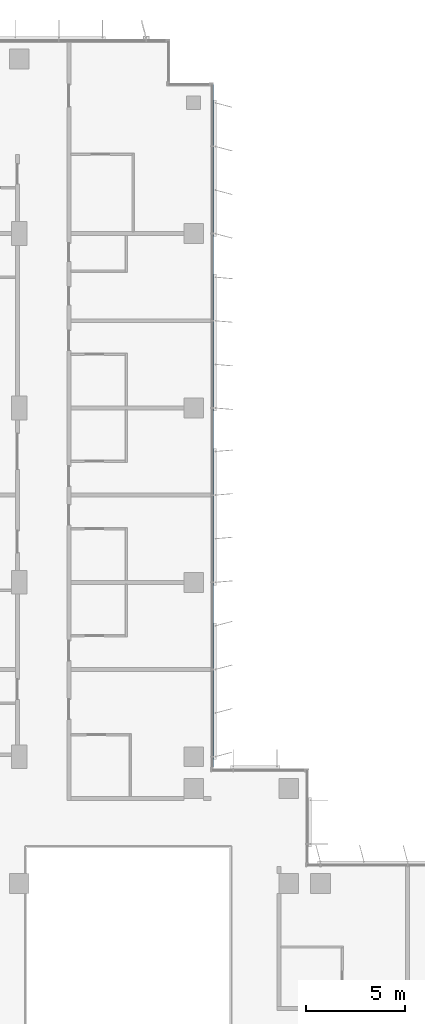
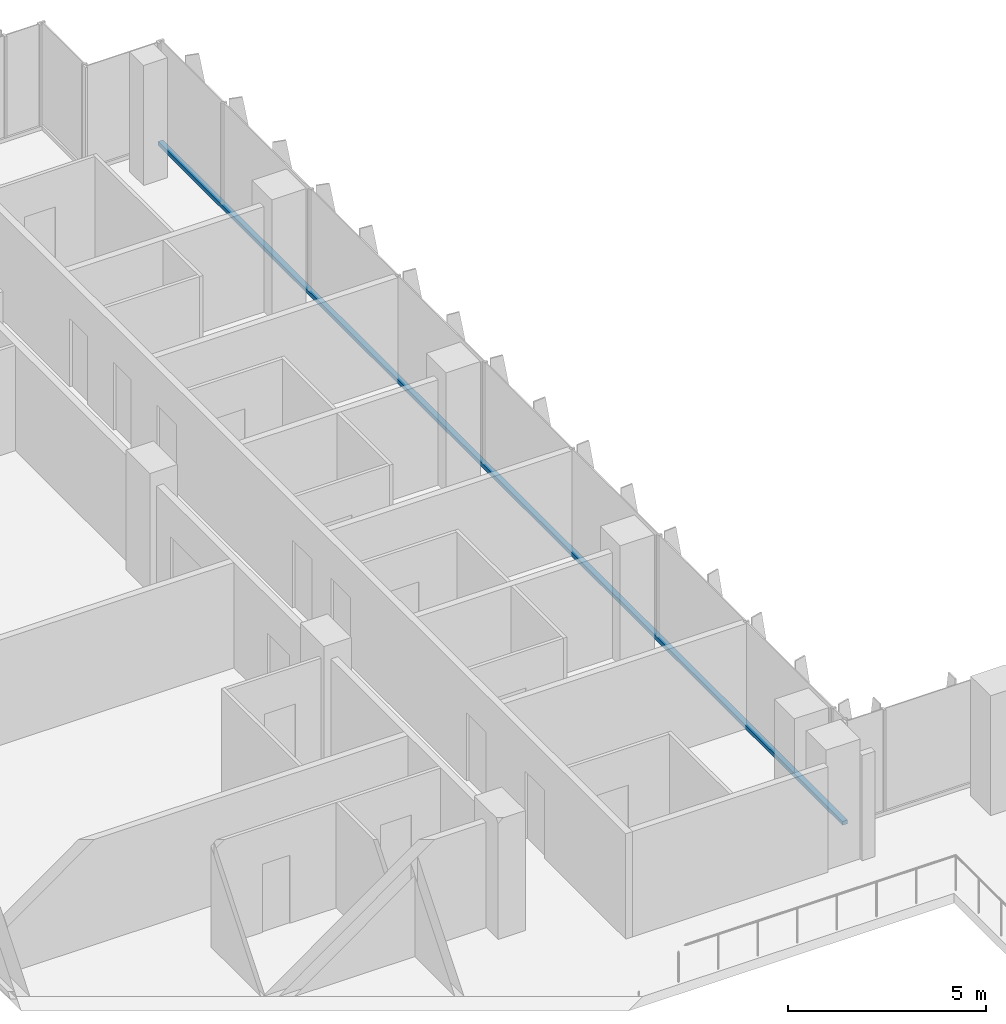
# One storey, part 6 of 21: 1 member, 1 element without a shape of its own.
"""IFC4 building model written with IfcOpenShell, lengths in metres."""

from ifc_helpers import new_model, si_unit, direction, frame, origin, origin_2d, place, context, subcontext, project, spatial, rectangle, extrude, material, material_profile, profile_set, type_object, element, aggregate, save


model = new_model("IFC4")

# Units and contexts
model_context = context("Model", 3, precision=1e-05, world=origin(), true_north=direction((0.0, 1.0)))
body_context = subcontext(model_context, "Body", "Model", "MODEL_VIEW")
ifc_project = project(units=[si_unit("LENGTHUNIT", "METRE"), si_unit("AREAUNIT", "SQUARE_METRE"), si_unit("VOLUMEUNIT", "CUBIC_METRE"), si_unit("PLANEANGLEUNIT", "RADIAN"), si_unit("MASSUNIT", "GRAM", prefix="KILO")], contexts=[model_context])

# Site, building, storey
site_placement = place(None, origin())
site = spatial("IfcSite", under=ifc_project, at=site_placement, CompositionType="ELEMENT")
building_placement = place(site_placement, origin())
building = spatial("IfcBuilding", under=site, at=building_placement, Name="Kemantara Hotel Tower", CompositionType="ELEMENT")
storey_placement = place(building_placement, frame((0.0, 0.0, 219.10009765625)))
storey = spatial("IfcBuildingStorey", under=building, at=storey_placement, Name="L54", CompositionType="ELEMENT", Elevation=219.10009765625)

# Curtain wall, member
ifc_material_1 = material(Name="Low-E tinted double insulated glass 36 mm", Category="glass")
curtain_wall_type = type_object("IfcCurtainWallType", Name="TOWER CURTAIN WALL, FRONT FACES", PredefinedType="USERDEFINED", material=ifc_material_1)
curtain_wall_placement = place(storey_placement, origin())
curtain_wall = element("IfcCurtainWall", 1, at=curtain_wall_placement, inside=storey, type_object=curtain_wall_type, Name="CW4 L54 T3-R17-1", ObjectType="TOWER CURTAIN WALL, FRONT FACES", PredefinedType="USERDEFINED")
ifc_material_2 = material(Name="Aluminium 6063-T6 bronze anodised", Category="aluminium")
ifc_material_profile = material_profile(ifc_material_2, rectangle(XDim=0.14990234375, YDim=0.1201171875, at=origin_2d()), Name="TOWER CURTAIN WALL, FRONT FACES TRANSOM")
ifc_profile_set = profile_set([ifc_material_profile], Name="Aluminium 6063-T6 bronze anodised")
member_type = type_object("IfcMemberType", Name="TOWER CURTAIN WALL, FRONT FACES TRANSOM", PredefinedType="USERDEFINED", material=ifc_profile_set)
member_placement = place(storey_placement, frame((21.925048828125, 26.800048828125, 0.059814453125), z_axis=(0.0, 1.0, 0.0), x_axis=(-1.0, 0.0, 0.0)))
member = element("IfcMember", 2, at=member_placement, type_object=member_type, Name="CW4 sill transom T3-R17-1", ObjectType="TRANSOM", PredefinedType="USERDEFINED", context=body_context, shape_type="SweptSolid", body=[
    extrude(rectangle(XDim=0.14990234375, YDim=0.1201171875, at=origin_2d()), origin(), (0.0, 0.0, 1.0), 34.599853515625),
])
aggregate(curtain_wall, [member])

save(model, "model.ifc")
